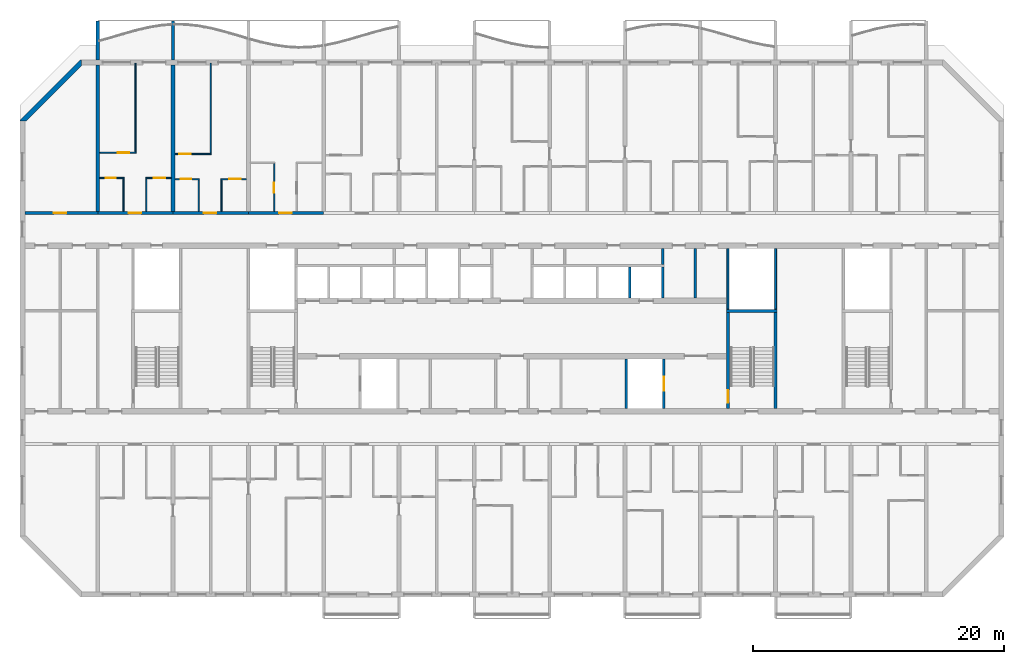
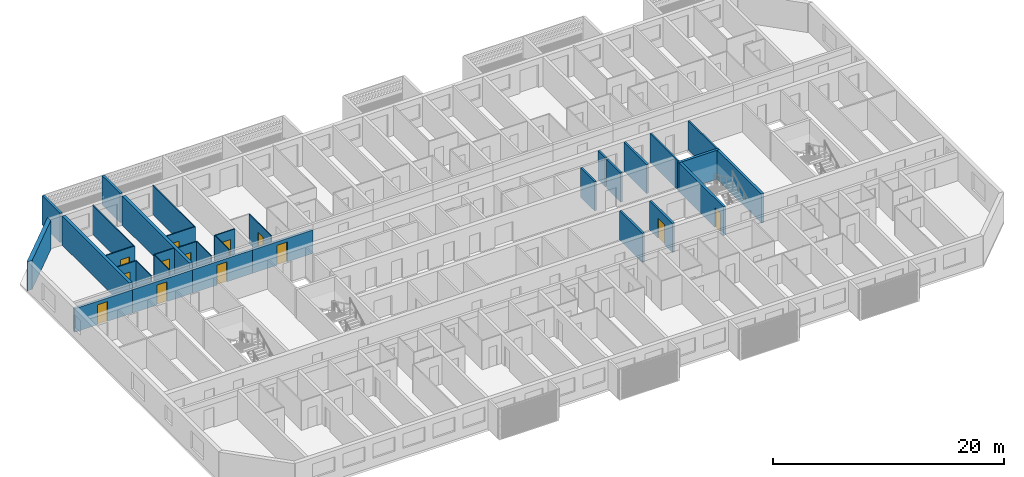
# One storey, part 8 of 32: 33 walls, 13 doors, 13 openings.
"""IFC4 building model written with IfcOpenShell, lengths in metres."""

from ifc_helpers import new_model, si_unit, direction, frame, frame_2d, origin, place, context, subcontext, project, spatial, polyline, rectangle, outline, extrude, source, transform, mapped, material, layer, layer_set, type_object, element, fill, save


model = new_model("IFC4")

# Units and contexts
model_context = context("Model", 3, precision=1e-05, world=origin(), true_north=direction((0.0, 1.0)))
body_context = subcontext(model_context, "Body", "Model", "MODEL_VIEW")
ifc_project = project(units=[si_unit("LENGTHUNIT", "METRE"), si_unit("AREAUNIT", "SQUARE_METRE"), si_unit("VOLUMEUNIT", "CUBIC_METRE"), si_unit("PLANEANGLEUNIT", "RADIAN"), si_unit("MASSUNIT", "GRAM", prefix="KILO")], contexts=[model_context])

# Site, building, storey
site_placement = place(None, origin())
site = spatial("IfcSite", under=ifc_project, at=site_placement, CompositionType="ELEMENT")
building_placement = place(site_placement, origin())
building = spatial("IfcBuilding", under=site, at=building_placement, Name="Poui Terraces", CompositionType="ELEMENT")
storey_placement = place(building_placement, frame((0.0, 0.0, 122.39990234375)))
storey = spatial("IfcBuildingStorey", under=building, at=storey_placement, Name="L33", CompositionType="ELEMENT", Elevation=122.39990234375)

# Wall, opening, door
ifc_material_1 = material(Name="Concrete 65 MPa", Category="concrete")
ifc_layer_1 = layer(ifc_material_1, 0.25)
ifc_layer_set_1 = layer_set([ifc_layer_1], Name="Concrete 65 MPa")
wall_type_1 = type_object("IfcWallType", Name="CORRIDOR WALL 250 65MPa", PredefinedType="SHEAR", material=ifc_layer_set_1)
wall_1_placement = place(storey_placement, frame((12.199951171875, 30.39990234375, 0.0), z_axis=(0.0, 0.0, 1.0), x_axis=(1.0, 0.0, 0.0)))
wall_1 = element("IfcWall", 1, at=wall_1_placement, inside=storey, type_object=wall_type_1, Name="CORRIDOR WALL LINE E BAY 1", PredefinedType="SHEAR", context=body_context, shape_type="SweptSolid", body=[
    extrude(rectangle(XDim=5.800048828125, YDim=0.25, at=frame_2d((2.89990234375, 0.0))), origin(), (0.0, 0.0, 1.0), 2.47021484375),
])
opening_1_placement = place(wall_1_placement, frame((2.300048828125, 0.0, 0.0)))
opening_1 = element("IfcOpeningElement", 2, at=opening_1_placement, cuts=wall_1, Name="Opening D100", PredefinedType="OPENING", context=body_context, shape_type="SweptSolid", body=[
    extrude(rectangle(XDim=1.0, YDim=2.10009765625, at=frame_2d((0.5, 1.050048828125))), frame((0.0, 0.135009765625, 0.0), z_axis=(0.0, -1.0, 0.0), x_axis=(1.0, 0.0, 0.0)), (0.0, 0.0, 1.0), 0.27001953125),
])
ifc_material_2 = material(Name="Solid core timber door", Category="wood")
door_type_1 = type_object("IfcDoorType", Name="ACCESSIBLE INTERNAL DOOR 1000 X 2100", OperationType="NOTDEFINED", PredefinedType="DOOR", material=ifc_material_2)
door_1_placement = place(opening_1_placement, origin())
door_1 = element("IfcDoor", 3, at=door_1_placement, inside=storey, type_object=door_type_1, Name="ACCESSIBLE INTERNAL DOOR 034", OperationType="SINGLE_SWING_LEFT", OverallHeight=2.10009765625, OverallWidth=1.0, PredefinedType="DOOR", context=body_context, shape_type="SweptSolid", body=[
    extrude(rectangle(XDim=1.0, YDim=2.10009765625, at=frame_2d((0.5, 1.050048828125))), frame((0.0, 0.02490234375, 0.0), z_axis=(0.0, -1.0, 0.0), x_axis=(1.0, 0.0, 0.0)), (0.0, 0.0, 1.0), 0.050048828125),
])
fill(opening_1, door_1)

wall_2_placement = place(storey_placement, frame((18.0, 30.39990234375, 0.0), z_axis=(0.0, 0.0, 1.0), x_axis=(1.0, 0.0, 0.0)))
wall_2 = element("IfcWall", 4, at=wall_2_placement, inside=storey, type_object=wall_type_1, Name="CORRIDOR WALL LINE E BAY 2", PredefinedType="SHEAR", context=body_context, shape_type="SweptSolid", body=[
    extrude(rectangle(XDim=6.0, YDim=0.25, at=frame_2d((3.0, 0.0))), origin(), (0.0, 0.0, 1.0), 2.47021484375),
])
opening_2_placement = place(wall_2_placement, frame((2.449951171875, 0.0, 0.0)))
opening_2 = element("IfcOpeningElement", 5, at=opening_2_placement, cuts=wall_2, Name="Opening FD30S", PredefinedType="OPENING", context=body_context, shape_type="SweptSolid", body=[
    extrude(rectangle(XDim=1.0, YDim=2.10009765625, at=frame_2d((0.5, 1.050048828125))), frame((0.0, 0.135009765625, 0.0), z_axis=(0.0, -1.0, 0.0), x_axis=(1.0, 0.0, 0.0)), (0.0, 0.0, 1.0), 0.27001953125),
])
ifc_material_3 = material(Name="Steel fire door", Category="steel")
door_type_2 = type_object("IfcDoorType", Name="FLAT ENTRANCE DOOR 1000 X 2100", OperationType="NOTDEFINED", PredefinedType="DOOR", material=ifc_material_3)
door_2_placement = place(opening_2_placement, origin())
door_2 = element("IfcDoor", 6, at=door_2_placement, inside=storey, type_object=door_type_2, Name="FLAT ENTRANCE DOOR 037", OperationType="SINGLE_SWING_LEFT", OverallHeight=2.10009765625, OverallWidth=1.0, PredefinedType="DOOR", context=body_context, shape_type="SweptSolid", body=[
    extrude(rectangle(XDim=1.0, YDim=2.10009765625, at=frame_2d((0.5, 1.050048828125))), frame((0.0, 0.02490234375, 0.0), z_axis=(0.0, -1.0, 0.0), x_axis=(1.0, 0.0, 0.0)), (0.0, 0.0, 1.0), 0.050048828125),
])
fill(opening_2, door_2)

wall_3_placement = place(storey_placement, frame((24.0, 30.39990234375, 0.0), z_axis=(0.0, 0.0, 1.0), x_axis=(1.0, 0.0, 0.0)))
wall_3 = element("IfcWall", 7, at=wall_3_placement, inside=storey, type_object=wall_type_1, Name="CORRIDOR WALL LINE E BAY 3", PredefinedType="SHEAR", context=body_context, shape_type="SweptSolid", body=[
    extrude(rectangle(XDim=6.0, YDim=0.25, at=frame_2d((3.0, 0.0))), origin(), (0.0, 0.0, 1.0), 2.47021484375),
])
opening_3_placement = place(wall_3_placement, frame((2.449951171875, 0.0, 0.0)))
opening_3 = element("IfcOpeningElement", 8, at=opening_3_placement, cuts=wall_3, Name="Opening FD30S", PredefinedType="OPENING", context=body_context, shape_type="SweptSolid", body=[
    extrude(rectangle(XDim=1.0, YDim=2.10009765625, at=frame_2d((0.5, 1.050048828125))), frame((0.0, 0.135009765625, 0.0), z_axis=(0.0, -1.0, 0.0), x_axis=(1.0, 0.0, 0.0)), (0.0, 0.0, 1.0), 0.27001953125),
])
door_3_placement = place(opening_3_placement, origin())
door_3 = element("IfcDoor", 9, at=door_3_placement, inside=storey, type_object=door_type_2, Name="FLAT ENTRANCE DOOR 041", OperationType="SINGLE_SWING_LEFT", OverallHeight=2.10009765625, OverallWidth=1.0, PredefinedType="DOOR", context=body_context, shape_type="SweptSolid", body=[
    extrude(rectangle(XDim=1.0, YDim=2.10009765625, at=frame_2d((0.5, 1.050048828125))), frame((0.0, 0.02490234375, 0.0), z_axis=(0.0, -1.0, 0.0), x_axis=(1.0, 0.0, 0.0)), (0.0, 0.0, 1.0), 0.050048828125),
])
fill(opening_3, door_3)

wall_4_placement = place(storey_placement, frame((30.0, 30.39990234375, 0.0), z_axis=(0.0, 0.0, 1.0), x_axis=(1.0, 0.0, 0.0)))
wall_4 = element("IfcWall", 10, at=wall_4_placement, inside=storey, type_object=wall_type_1, Name="CORRIDOR WALL LINE E BAY 4", PredefinedType="SHEAR", context=body_context, shape_type="SweptSolid", body=[
    extrude(rectangle(XDim=6.0, YDim=0.25, at=frame_2d((3.0, 0.0))), origin(), (0.0, 0.0, 1.0), 2.47021484375),
])
opening_4_placement = place(wall_4_placement, frame((2.449951171875, 0.0, 0.0)))
opening_4 = element("IfcOpeningElement", 11, at=opening_4_placement, cuts=wall_4, Name="Opening FD30S", PredefinedType="OPENING", context=body_context, shape_type="SweptSolid", body=[
    extrude(rectangle(XDim=1.0, YDim=2.10009765625, at=frame_2d((0.5, 1.050048828125))), frame((0.0, 0.135009765625, 0.0), z_axis=(0.0, -1.0, 0.0), x_axis=(1.0, 0.0, 0.0)), (0.0, 0.0, 1.0), 0.27001953125),
])
door_4_placement = place(opening_4_placement, origin())
door_4 = element("IfcDoor", 12, at=door_4_placement, inside=storey, type_object=door_type_2, Name="FLAT ENTRANCE DOOR 044", OperationType="SINGLE_SWING_LEFT", OverallHeight=2.10009765625, OverallWidth=1.0, PredefinedType="DOOR", context=body_context, shape_type="SweptSolid", body=[
    extrude(rectangle(XDim=1.0, YDim=2.10009765625, at=frame_2d((0.5, 1.050048828125))), frame((0.0, 0.02490234375, 0.0), z_axis=(0.0, -1.0, 0.0), x_axis=(1.0, 0.0, 0.0)), (0.0, 0.0, 1.0), 0.050048828125),
])
fill(opening_4, door_4)

# Walls
ifc_layer_2 = layer(ifc_material_1, 0.300048828125)
ifc_layer_set_2 = layer_set([ifc_layer_2], Name="Concrete 65 MPa")
wall_type_2 = type_object("IfcWallType", Name="CROSS WALL 300 65MPa", PredefinedType="SHEAR", material=ifc_layer_set_2)
for number, where, z_axis, x_axis, name in (
    (13, (18.0, 30.52490234375, 0.0), (0.0, 0.0, 1.0), (0.0, 1.0, 0.0), "CROSS WALL LINE 4 NORTH"),
    (14, (24.0, 30.52490234375, 0.0), (0.0, 0.0, 1.0), (0.0, 1.0, 0.0), "CROSS WALL LINE 5 NORTH"),
):
    element("IfcWall", number, at=place(storey_placement, frame(where, z_axis=z_axis, x_axis=x_axis)), inside=storey, type_object=wall_type_2, Name=name, PredefinedType="SHEAR", context=body_context, shape_type="SweptSolid", body=[
        extrude(rectangle(XDim=11.675048828125, YDim=0.300048828125, at=frame_2d((5.83740234375, 0.0))), origin(), (0.0, 0.0, 1.0), 3.070068359375),
    ])

# Wall, opening, door
ifc_material_4 = material(Name="Plasterboard partition")
ifc_layer_3 = layer(ifc_material_4, 0.10009765625)
ifc_layer_set_3 = layer_set([ifc_layer_3], Name="Plasterboard partition")
wall_type_3 = type_object("IfcWallType", Name="FLAT PARTITION 100", PredefinedType="PARTITIONING", material=ifc_layer_set_3)
wall_5_placement = place(storey_placement, frame((24.159912109375, 33.10009765625, 0.0), z_axis=(0.0, 0.0, 1.0), x_axis=(1.0, 0.0, 0.0)))
wall_5 = element("IfcWall", 15, at=wall_5_placement, inside=storey, type_object=wall_type_3, Name="FLAT PARTITION 100", PredefinedType="PARTITIONING", context=body_context, shape_type="SweptSolid", body=[
    extrude(rectangle(XDim=1.940185546875, YDim=0.10009765625, at=frame_2d((0.97021484375, 0.0))), origin(), (0.0, 0.0, 1.0), 3.070068359375),
])
opening_5_placement = place(wall_5_placement, frame((0.465087890625, 0.0, 0.0)))
opening_5 = element("IfcOpeningElement", 16, at=opening_5_placement, cuts=wall_5, Name="Opening D80", PredefinedType="OPENING", context=body_context, shape_type="SweptSolid", body=[
    extrude(rectangle(XDim=0.800048828125, YDim=2.10009765625, at=frame_2d((0.39990234375, 1.050048828125))), frame((0.0, 0.06005859375, 0.0), z_axis=(0.0, -1.0, 0.0), x_axis=(1.0, 0.0, 0.0)), (0.0, 0.0, 1.0), 0.1201171875),
])
door_type_3 = type_object("IfcDoorType", Name="BATHROOM, LAUNDRY AND STORE DOOR 800 X 2100", OperationType="NOTDEFINED", PredefinedType="DOOR", material=ifc_material_2)
door_5_placement = place(opening_5_placement, frame((0.800048828125, 0.0, 0.0), z_axis=(0.0, 0.0, 1.0), x_axis=(-1.0, 0.0, 0.0)))
door_5 = element("IfcDoor", 17, at=door_5_placement, inside=storey, type_object=door_type_3, Name="BATHROOM, LAUNDRY AND STORE DOOR 040", OperationType="SINGLE_SWING_RIGHT", OverallHeight=2.10009765625, OverallWidth=0.800048828125, PredefinedType="DOOR", context=body_context, shape_type="SweptSolid", body=[
    extrude(rectangle(XDim=0.800048828125, YDim=2.10009765625, at=frame_2d((0.39990234375, 1.050048828125))), frame((0.0, 0.02490234375, 0.0), z_axis=(0.0, -1.0, 0.0), x_axis=(1.0, 0.0, 0.0)), (0.0, 0.0, 1.0), 0.050048828125),
])
fill(opening_5, door_5)

wall_6_placement = place(storey_placement, frame((27.800048828125, 33.10009765625, 0.0), z_axis=(0.0, 0.0, 1.0), x_axis=(1.0, 0.0, 0.0)))
wall_6 = element("IfcWall", 18, at=wall_6_placement, inside=storey, type_object=wall_type_3, Name="FLAT PARTITION 100", PredefinedType="PARTITIONING", context=body_context, shape_type="SweptSolid", body=[
    extrude(rectangle(XDim=2.0400390625, YDim=0.10009765625, at=frame_2d((1.02001953125, 0.0))), origin(), (0.0, 0.0, 1.0), 3.070068359375),
])
opening_6_placement = place(wall_6_placement, frame((0.675048828125, 0.0, 0.0)))
opening_6 = element("IfcOpeningElement", 19, at=opening_6_placement, cuts=wall_6, Name="Opening D90", PredefinedType="OPENING", context=body_context, shape_type="SweptSolid", body=[
    extrude(rectangle(XDim=0.89990234375, YDim=2.10009765625, at=frame_2d((0.449951171875, 1.050048828125))), frame((0.0, 0.06005859375, 0.0), z_axis=(0.0, -1.0, 0.0), x_axis=(1.0, 0.0, 0.0)), (0.0, 0.0, 1.0), 0.1201171875),
])
door_type_4 = type_object("IfcDoorType", Name="INTERNAL DOOR 900 X 2100", OperationType="NOTDEFINED", PredefinedType="DOOR", material=ifc_material_2)
door_6_placement = place(opening_6_placement, frame((0.89990234375, 0.0, 0.0), z_axis=(0.0, 0.0, 1.0), x_axis=(-1.0, 0.0, 0.0)))
door_6 = element("IfcDoor", 20, at=door_6_placement, inside=storey, type_object=door_type_4, Name="INTERNAL DOOR 042", OperationType="SINGLE_SWING_LEFT", OverallHeight=2.10009765625, OverallWidth=0.89990234375, PredefinedType="DOOR", context=body_context, shape_type="SweptSolid", body=[
    extrude(rectangle(XDim=0.89990234375, YDim=2.10009765625, at=frame_2d((0.449951171875, 1.050048828125))), frame((0.0, 0.02490234375, 0.0), z_axis=(0.0, -1.0, 0.0), x_axis=(1.0, 0.0, 0.0)), (0.0, 0.0, 1.0), 0.050048828125),
])
fill(opening_6, door_6)

wall_7_placement = place(storey_placement, frame((18.159912109375, 33.199951171875, 0.0), z_axis=(0.0, 0.0, 1.0), x_axis=(1.0, 0.0, 0.0)))
wall_7 = element("IfcWall", 21, at=wall_7_placement, inside=storey, type_object=wall_type_3, Name="FLAT PARTITION 100", PredefinedType="PARTITIONING", context=body_context, shape_type="SweptSolid", body=[
    extrude(rectangle(XDim=1.940185546875, YDim=0.10009765625, at=frame_2d((0.97021484375, 0.0))), origin(), (0.0, 0.0, 1.0), 3.070068359375),
])
opening_7_placement = place(wall_7_placement, frame((0.465087890625, 0.0, 0.0)))
opening_7 = element("IfcOpeningElement", 22, at=opening_7_placement, cuts=wall_7, Name="Opening D80", PredefinedType="OPENING", context=body_context, shape_type="SweptSolid", body=[
    extrude(rectangle(XDim=0.800048828125, YDim=2.10009765625, at=frame_2d((0.39990234375, 1.050048828125))), frame((0.0, 0.06005859375, 0.0), z_axis=(0.0, -1.0, 0.0), x_axis=(1.0, 0.0, 0.0)), (0.0, 0.0, 1.0), 0.1201171875),
])
door_7_placement = place(opening_7_placement, frame((0.800048828125, 0.0, 0.0), z_axis=(0.0, 0.0, 1.0), x_axis=(-1.0, 0.0, 0.0)))
door_7 = element("IfcDoor", 23, at=door_7_placement, inside=storey, type_object=door_type_3, Name="BATHROOM, LAUNDRY AND STORE DOOR 035", OperationType="SINGLE_SWING_LEFT", OverallHeight=2.10009765625, OverallWidth=0.800048828125, PredefinedType="DOOR", context=body_context, shape_type="SweptSolid", body=[
    extrude(rectangle(XDim=0.800048828125, YDim=2.10009765625, at=frame_2d((0.39990234375, 1.050048828125))), frame((0.0, 0.02490234375, 0.0), z_axis=(0.0, -1.0, 0.0), x_axis=(1.0, 0.0, 0.0)), (0.0, 0.0, 1.0), 0.050048828125),
])
fill(opening_7, door_7)

wall_8_placement = place(storey_placement, frame((21.800048828125, 33.199951171875, 0.0), z_axis=(0.0, 0.0, 1.0), x_axis=(1.0, 0.0, 0.0)))
wall_8 = element("IfcWall", 24, at=wall_8_placement, inside=storey, type_object=wall_type_3, Name="FLAT PARTITION 100", PredefinedType="PARTITIONING", context=body_context, shape_type="SweptSolid", body=[
    extrude(rectangle(XDim=2.0400390625, YDim=0.10009765625, at=frame_2d((1.02001953125, 0.0))), origin(), (0.0, 0.0, 1.0), 3.070068359375),
])
opening_8_placement = place(wall_8_placement, frame((0.675048828125, 0.0, 0.0)))
opening_8 = element("IfcOpeningElement", 25, at=opening_8_placement, cuts=wall_8, Name="Opening D90", PredefinedType="OPENING", context=body_context, shape_type="SweptSolid", body=[
    extrude(rectangle(XDim=0.89990234375, YDim=2.10009765625, at=frame_2d((0.449951171875, 1.050048828125))), frame((0.0, 0.06005859375, 0.0), z_axis=(0.0, -1.0, 0.0), x_axis=(1.0, 0.0, 0.0)), (0.0, 0.0, 1.0), 0.1201171875),
])
door_8_placement = place(opening_8_placement, frame((0.89990234375, 0.0, 0.0), z_axis=(0.0, 0.0, 1.0), x_axis=(-1.0, 0.0, 0.0)))
door_8 = element("IfcDoor", 26, at=door_8_placement, inside=storey, type_object=door_type_4, Name="INTERNAL DOOR 038", OperationType="SINGLE_SWING_RIGHT", OverallHeight=2.10009765625, OverallWidth=0.89990234375, PredefinedType="DOOR", context=body_context, shape_type="SweptSolid", body=[
    extrude(rectangle(XDim=0.89990234375, YDim=2.10009765625, at=frame_2d((0.449951171875, 1.050048828125))), frame((0.0, 0.02490234375, 0.0), z_axis=(0.0, -1.0, 0.0), x_axis=(1.0, 0.0, 0.0)), (0.0, 0.0, 1.0), 0.050048828125),
])
fill(opening_8, door_8)

wall_9_placement = place(storey_placement, frame((24.159912109375, 35.10009765625, 0.0), z_axis=(0.0, 0.0, 1.0), x_axis=(1.0, 0.0, 0.0)))
wall_9 = element("IfcWall", 27, at=wall_9_placement, inside=storey, type_object=wall_type_3, Name="FLAT PARTITION 100", PredefinedType="PARTITIONING", context=body_context, shape_type="SweptSolid", body=[
    extrude(rectangle(XDim=2.89013671875, YDim=0.10009765625, at=frame_2d((1.445068359375, 0.0))), origin(), (0.0, 0.0, 1.0), 3.070068359375),
])
opening_9_placement = place(wall_9_placement, frame((0.340087890625, 0.0, 0.0)))
opening_9 = element("IfcOpeningElement", 28, at=opening_9_placement, cuts=wall_9, Name="Opening D90", PredefinedType="OPENING", context=body_context, shape_type="SweptSolid", body=[
    extrude(rectangle(XDim=0.89990234375, YDim=2.10009765625, at=frame_2d((0.449951171875, 1.050048828125))), frame((0.0, 0.06005859375, 0.0), z_axis=(0.0, -1.0, 0.0), x_axis=(1.0, 0.0, 0.0)), (0.0, 0.0, 1.0), 0.1201171875),
])
door_9_placement = place(opening_9_placement, frame((0.89990234375, 0.0, 0.0), z_axis=(0.0, 0.0, 1.0), x_axis=(-1.0, 0.0, 0.0)))
door_9 = element("IfcDoor", 29, at=door_9_placement, inside=storey, type_object=door_type_4, Name="INTERNAL DOOR 039", OperationType="SINGLE_SWING_LEFT", OverallHeight=2.10009765625, OverallWidth=0.89990234375, PredefinedType="DOOR", context=body_context, shape_type="SweptSolid", body=[
    extrude(rectangle(XDim=0.89990234375, YDim=2.10009765625, at=frame_2d((0.449951171875, 1.050048828125))), frame((0.0, 0.02490234375, 0.0), z_axis=(0.0, -1.0, 0.0), x_axis=(1.0, 0.0, 0.0)), (0.0, 0.0, 1.0), 0.050048828125),
])
fill(opening_9, door_9)

wall_10_placement = place(storey_placement, frame((18.159912109375, 35.199951171875, 0.0), z_axis=(0.0, 0.0, 1.0), x_axis=(1.0, 0.0, 0.0)))
wall_10 = element("IfcWall", 30, at=wall_10_placement, inside=storey, type_object=wall_type_3, Name="FLAT PARTITION 100", PredefinedType="PARTITIONING", context=body_context, shape_type="SweptSolid", body=[
    extrude(rectangle(XDim=2.89013671875, YDim=0.10009765625, at=frame_2d((1.445068359375, 0.0))), origin(), (0.0, 0.0, 1.0), 3.070068359375),
])
opening_10_placement = place(wall_10_placement, frame((1.43994140625, 0.0, 0.0)))
opening_10 = element("IfcOpeningElement", 31, at=opening_10_placement, cuts=wall_10, Name="Opening D90", PredefinedType="OPENING", context=body_context, shape_type="SweptSolid", body=[
    extrude(rectangle(XDim=0.89990234375, YDim=2.10009765625, at=frame_2d((0.449951171875, 1.050048828125))), frame((0.0, 0.06005859375, 0.0), z_axis=(0.0, -1.0, 0.0), x_axis=(1.0, 0.0, 0.0)), (0.0, 0.0, 1.0), 0.1201171875),
])
door_10_placement = place(opening_10_placement, frame((0.89990234375, 0.0, 0.0), z_axis=(0.0, 0.0, 1.0), x_axis=(-1.0, 0.0, 0.0)))
door_10 = element("IfcDoor", 32, at=door_10_placement, inside=storey, type_object=door_type_4, Name="INTERNAL DOOR 036", OperationType="SINGLE_SWING_RIGHT", OverallHeight=2.10009765625, OverallWidth=0.89990234375, PredefinedType="DOOR", context=body_context, shape_type="SweptSolid", body=[
    extrude(rectangle(XDim=0.89990234375, YDim=2.10009765625, at=frame_2d((0.449951171875, 1.050048828125))), frame((0.0, 0.02490234375, 0.0), z_axis=(0.0, -1.0, 0.0), x_axis=(1.0, 0.0, 0.0)), (0.0, 0.0, 1.0), 0.050048828125),
])
fill(opening_10, door_10)

# Walls
wall_11_placement = place(storey_placement, frame((20.050048828125, 30.534912109375, 0.0), z_axis=(0.0, 0.0, 1.0), x_axis=(0.0, 1.0, 0.0)))
element("IfcWall", 33, at=wall_11_placement, inside=storey, type_object=wall_type_3, Name="FLAT PARTITION 100", PredefinedType="PARTITIONING", context=body_context, shape_type="SweptSolid", body=[
    extrude(rectangle(XDim=2.614990234375, YDim=0.10009765625, at=frame_2d((1.3076171875, 0.0))), origin(), (0.0, 0.0, 1.0), 3.070068359375),
])
wall_12_placement = place(storey_placement, frame((21.0, 35.25, 0.0), z_axis=(0.0, 0.0, 1.0), x_axis=(0.0, 1.0, 0.0)))
element("IfcWall", 34, at=wall_12_placement, inside=storey, type_object=wall_type_3, Name="FLAT PARTITION 100", PredefinedType="PARTITIONING", context=body_context, shape_type="SweptSolid", body=[
    extrude(rectangle(XDim=7.090087890625, YDim=0.10009765625, at=frame_2d((3.544921875, 0.0))), origin(), (0.0, 0.0, 1.0), 3.070068359375),
])
wall_13_placement = place(storey_placement, frame((21.85009765625, 30.534912109375, 0.0), z_axis=(0.0, 0.0, 1.0), x_axis=(0.0, 1.0, 0.0)))
element("IfcWall", 35, at=wall_13_placement, inside=storey, type_object=wall_type_3, Name="FLAT PARTITION 100", PredefinedType="PARTITIONING", context=body_context, shape_type="SweptSolid", body=[
    extrude(rectangle(XDim=2.614990234375, YDim=0.10009765625, at=frame_2d((1.3076171875, 0.0))), origin(), (0.0, 0.0, 1.0), 3.070068359375),
])
wall_14_placement = place(storey_placement, frame((26.050048828125, 30.534912109375, 0.0), z_axis=(0.0, 0.0, 1.0), x_axis=(0.0, 1.0, 0.0)))
element("IfcWall", 36, at=wall_14_placement, inside=storey, type_object=wall_type_3, Name="FLAT PARTITION 100", PredefinedType="PARTITIONING", context=body_context, shape_type="SweptSolid", body=[
    extrude(rectangle(XDim=2.51513671875, YDim=0.10009765625, at=frame_2d((1.257568359375, 0.0))), origin(), (0.0, 0.0, 1.0), 3.070068359375),
])
wall_15_placement = place(storey_placement, frame((27.0, 35.14990234375, 0.0), z_axis=(0.0, 0.0, 1.0), x_axis=(0.0, 1.0, 0.0)))
element("IfcWall", 37, at=wall_15_placement, inside=storey, type_object=wall_type_3, Name="FLAT PARTITION 100", PredefinedType="PARTITIONING", context=body_context, shape_type="SweptSolid", body=[
    extrude(rectangle(XDim=7.190185546875, YDim=0.10009765625, at=frame_2d((3.59521484375, 0.0))), origin(), (0.0, 0.0, 1.0), 3.070068359375),
])
wall_16_placement = place(storey_placement, frame((27.85009765625, 30.534912109375, 0.0), z_axis=(0.0, 0.0, 1.0), x_axis=(0.0, 1.0, 0.0)))
element("IfcWall", 38, at=wall_16_placement, inside=storey, type_object=wall_type_3, Name="FLAT PARTITION 100", PredefinedType="PARTITIONING", context=body_context, shape_type="SweptSolid", body=[
    extrude(rectangle(XDim=2.51513671875, YDim=0.10009765625, at=frame_2d((1.257568359375, 0.0))), origin(), (0.0, 0.0, 1.0), 3.070068359375),
])

# Wall, opening, door
wall_17_placement = place(storey_placement, frame((32.050048828125, 30.534912109375, 0.0), z_axis=(0.0, 0.0, 1.0), x_axis=(0.0, 1.0, 0.0)))
wall_17 = element("IfcWall", 39, at=wall_17_placement, inside=storey, type_object=wall_type_3, Name="FLAT PARTITION 100", PredefinedType="PARTITIONING", context=body_context, shape_type="SweptSolid", body=[
    extrude(rectangle(XDim=3.815185546875, YDim=0.10009765625, at=frame_2d((1.90771484375, 0.0))), origin(), (0.0, 0.0, 1.0), 3.070068359375),
])
opening_11_placement = place(wall_17_placement, frame((1.465087890625, 0.0, 0.0)))
opening_11 = element("IfcOpeningElement", 40, at=opening_11_placement, cuts=wall_17, Name="Opening D80", PredefinedType="OPENING", context=body_context, shape_type="SweptSolid", body=[
    extrude(rectangle(XDim=0.800048828125, YDim=2.10009765625, at=frame_2d((0.39990234375, 1.050048828125))), frame((0.0, 0.06005859375, 0.0), z_axis=(0.0, -1.0, 0.0), x_axis=(1.0, 0.0, 0.0)), (0.0, 0.0, 1.0), 0.1201171875),
])
door_11_placement = place(opening_11_placement, origin())
door_11 = element("IfcDoor", 41, at=door_11_placement, inside=storey, type_object=door_type_3, Name="BATHROOM, LAUNDRY AND STORE DOOR 043", OperationType="SINGLE_SWING_LEFT", OverallHeight=2.10009765625, OverallWidth=0.800048828125, PredefinedType="DOOR", context=body_context, shape_type="SweptSolid", body=[
    extrude(rectangle(XDim=0.800048828125, YDim=2.10009765625, at=frame_2d((0.39990234375, 1.050048828125))), frame((0.0, 0.02490234375, 0.0), z_axis=(0.0, -1.0, 0.0), x_axis=(1.0, 0.0, 0.0)), (0.0, 0.0, 1.0), 0.050048828125),
])
fill(opening_11, door_11)

# Walls
ifc_material_5 = material(Name="Fire-rated masonry wall", Category="masonry")
ifc_layer_4 = layer(ifc_material_5, 0.199951171875)
ifc_layer_set_4 = layer_set([ifc_layer_4], Name="Fire-rated masonry wall")
wall_type_4 = type_object("IfcWallType", Name="PLANT ROOM WALL 200", PredefinedType="PARTITIONING", material=ifc_layer_set_4)
wall_18_placement = place(storey_placement, frame((63.0, 26.300048828125, 0.0), z_axis=(0.0, 0.0, 1.0), x_axis=(0.0, 1.0, 0.0)))
element("IfcWall", 42, at=wall_18_placement, inside=storey, type_object=wall_type_4, Name="PLANT ROOM WALL 200", PredefinedType="PARTITIONING", context=body_context, shape_type="SweptSolid", body=[
    extrude(rectangle(XDim=1.264892578125, YDim=0.199951171875, at=frame_2d((0.63232421875, 0.0))), origin(), (0.0, 0.0, 1.0), 3.070068359375),
])
wall_19_placement = place(storey_placement, frame((65.60009765625, 23.635009765625, 0.0), z_axis=(0.0, 0.0, 1.0), x_axis=(0.0, 1.0, 0.0)))
element("IfcWall", 43, at=wall_19_placement, inside=storey, type_object=wall_type_4, Name="PLANT ROOM WALL 200", PredefinedType="PARTITIONING", context=body_context, shape_type="SweptSolid", body=[
    extrude(rectangle(XDim=3.929931640625, YDim=0.199951171875, at=frame_2d((1.96484375, 0.0))), origin(), (0.0, 0.0, 1.0), 3.070068359375),
])
ifc_material_6 = material(Name="Fire-rated plasterboard riser wall")
ifc_layer_5 = layer(ifc_material_6, 0.14990234375)
ifc_layer_set_5 = layer_set([ifc_layer_5], Name="Fire-rated plasterboard riser wall")
wall_type_5 = type_object("IfcWallType", Name="RISER WALL 150", PredefinedType="PARTITIONING", material=ifc_layer_set_5)
for number, where, z_axis, x_axis, name in (
    (44, (68.199951171875, 22.735107421875, 0.0), (0.0, 0.0, 1.0), (0.0, 1.0, 0.0), "RISER WALL 150"),
    (45, (72.0, 22.735107421875, 0.0), (0.0, 0.0, 1.0), (0.0, 1.0, 0.0), "RISER WALL 150"),
):
    element("IfcWall", number, at=place(storey_placement, frame(where, z_axis=z_axis, x_axis=x_axis)), inside=storey, type_object=wall_type_5, Name=name, PredefinedType="PARTITIONING", context=body_context, shape_type="SweptSolid", body=[
        extrude(rectangle(XDim=4.829833984375, YDim=0.14990234375, at=frame_2d((2.4150390625, 0.0))), origin(), (0.0, 0.0, 1.0), 3.070068359375),
    ])
ifc_material_7 = material(Name="Fire-rated masonry shaft wall", Category="masonry")
ifc_layer_6 = layer(ifc_material_7, 0.199951171875)
ifc_layer_set_6 = layer_set([ifc_layer_6], Name="Fire-rated masonry shaft wall")
wall_type_6 = type_object("IfcWallType", Name="SHAFT WALL 200", PredefinedType="PARTITIONING", material=ifc_layer_set_6)
wall_20_placement = place(storey_placement, frame((60.10009765625, 14.8349609375, 0.0), z_axis=(0.0, 0.0, 1.0), x_axis=(0.0, 1.0, 0.0)))
element("IfcWall", 46, at=wall_20_placement, inside=storey, type_object=wall_type_6, Name="SHAFT WALL 200", PredefinedType="PARTITIONING", context=body_context, shape_type="SweptSolid", body=[
    extrude(rectangle(XDim=3.929931640625, YDim=0.199951171875, at=frame_2d((1.96484375, 0.0))), origin(), (0.0, 0.0, 1.0), 3.070068359375),
])
for number, where, z_axis, x_axis, name in (
    (47, (60.39990234375, 23.635009765625, 0.0), (0.0, 0.0, 1.0), (0.0, 1.0, 0.0), "SHAFT WALL 200"),
    (48, (63.0, 23.635009765625, 0.0), (0.0, 0.0, 1.0), (0.0, 1.0, 0.0), "SHAFT WALL 200"),
):
    element("IfcWall", number, at=place(storey_placement, frame(where, z_axis=z_axis, x_axis=x_axis)), inside=storey, type_object=wall_type_6, Name=name, PredefinedType="PARTITIONING", context=body_context, shape_type="SweptSolid", body=[
        extrude(rectangle(XDim=2.465087890625, YDim=0.199951171875, at=frame_2d((1.232421875, 0.0))), origin(), (0.0, 0.0, 1.0), 3.070068359375),
    ])

# Wall, opening, door
wall_21_placement = place(storey_placement, frame((63.10009765625, 14.8349609375, 0.0), z_axis=(0.0, 0.0, 1.0), x_axis=(0.0, 1.0, 0.0)))
wall_21 = element("IfcWall", 49, at=wall_21_placement, inside=storey, type_object=wall_type_6, Name="SHAFT WALL 200", PredefinedType="PARTITIONING", context=body_context, shape_type="SweptSolid", body=[
    extrude(rectangle(XDim=3.929931640625, YDim=0.199951171875, at=frame_2d((1.96484375, 0.0))), origin(), (0.0, 0.0, 1.0), 3.070068359375),
])
opening_12_placement = place(wall_21_placement, frame((1.4150390625, 0.0, 0.0)))
opening_12 = element("IfcOpeningElement", 50, at=opening_12_placement, cuts=wall_21, Name="Opening LD", PredefinedType="OPENING", context=body_context, shape_type="SweptSolid", body=[
    extrude(rectangle(XDim=1.10009765625, YDim=2.10009765625, at=frame_2d((0.550048828125, 1.050048828125))), frame((0.0, 0.10986328125, 0.0), z_axis=(0.0, -1.0, 0.0), x_axis=(1.0, 0.0, 0.0)), (0.0, 0.0, 1.0), 0.219970703125),
])
ifc_material_8 = material(Name="Stainless steel sliding door", Category="steel")
door_type_5 = type_object("IfcDoorType", Name="LIFT LANDING DOOR 1100 X 2100", OperationType="DOUBLE_DOOR_SLIDING", PredefinedType="DOOR", material=ifc_material_8)
door_12_placement = place(opening_12_placement, origin())
door_12 = element("IfcDoor", 51, at=door_12_placement, inside=storey, type_object=door_type_5, Name="LANDING DOOR", OperationType="DOUBLE_DOOR_SLIDING", OverallHeight=2.10009765625, OverallWidth=1.10009765625, PredefinedType="DOOR", context=body_context, shape_type="SweptSolid", body=[
    extrude(rectangle(XDim=1.10009765625, YDim=2.10009765625, at=frame_2d((0.550048828125, 1.050048828125))), frame((0.0, 0.02490234375, 0.0), z_axis=(0.0, -1.0, 0.0), x_axis=(1.0, 0.0, 0.0)), (0.0, 0.0, 1.0), 0.050048828125),
])
fill(opening_12, door_12)

ifc_layer_7 = layer(ifc_material_1, 0.25)
ifc_layer_set_7 = layer_set([ifc_layer_7], Name="Concrete 65 MPa")
wall_type_7 = type_object("IfcWallType", Name="STAIR CORE WALL 250 65 MPA", PredefinedType="SOLIDWALL", material=ifc_layer_set_7)
wall_22_placement = place(storey_placement, frame((68.199951171875, 14.824951171875, 0.0), z_axis=(0.0, 0.0, 1.0), x_axis=(0.0, 1.0, 0.0)))
wall_22 = element("IfcWall", 52, at=wall_22_placement, inside=storey, type_object=wall_type_7, Name="STAIR CORE WALL", PredefinedType="SOLIDWALL", context=body_context, shape_type="SweptSolid", body=[
    extrude(rectangle(XDim=7.650146484375, YDim=0.25, at=frame_2d((3.8251953125, 0.0))), origin(), (0.0, 0.0, 1.0), 3.070068359375),
])
opening_13_placement = place(wall_22_placement, frame((0.47509765625, 0.0, 0.0)))
opening_13 = element("IfcOpeningElement", 53, at=opening_13_placement, cuts=wall_22, Name="Opening FD60S", PredefinedType="OPENING", context=body_context, shape_type="SweptSolid", body=[
    extrude(rectangle(XDim=1.0, YDim=2.10009765625, at=frame_2d((0.5, 1.050048828125))), frame((0.0, 0.135009765625, 0.0), z_axis=(0.0, -1.0, 0.0), x_axis=(1.0, 0.0, 0.0)), (0.0, 0.0, 1.0), 0.27001953125),
])
door_type_6 = type_object("IfcDoorType", Name="STAIR DOOR 1000 X 2100", OperationType="NOTDEFINED", PredefinedType="DOOR", material=ifc_material_3)
door_13_placement = place(opening_13_placement, frame((1.0, 0.0, 0.0), z_axis=(0.0, 0.0, 1.0), x_axis=(-1.0, 0.0, 0.0)))
door_13 = element("IfcDoor", 54, at=door_13_placement, inside=storey, type_object=door_type_6, Name="STAIR DOOR 122", OperationType="SINGLE_SWING_LEFT", OverallHeight=2.10009765625, OverallWidth=1.0, PredefinedType="DOOR", context=body_context, shape_type="SweptSolid", body=[
    extrude(rectangle(XDim=1.0, YDim=2.10009765625, at=frame_2d((0.5, 1.050048828125))), frame((0.0, 0.02490234375, 0.0), z_axis=(0.0, -1.0, 0.0), x_axis=(1.0, 0.0, 0.0)), (0.0, 0.0, 1.0), 0.050048828125),
])
fill(opening_13, door_13)

# Walls
wall_23_placement = place(storey_placement, frame((72.0, 14.824951171875, 0.0), z_axis=(0.0, 0.0, 1.0), x_axis=(0.0, 1.0, 0.0)))
element("IfcWall", 55, at=wall_23_placement, inside=storey, type_object=wall_type_7, Name="STAIR CORE WALL", PredefinedType="SOLIDWALL", context=body_context, shape_type="SweptSolid", body=[
    extrude(rectangle(XDim=7.650146484375, YDim=0.25, at=frame_2d((3.8251953125, 0.0))), origin(), (0.0, 0.0, 1.0), 3.070068359375),
])
wall_24_placement = place(storey_placement, frame((68.074951171875, 22.60009765625, 0.0), z_axis=(0.0, 0.0, 1.0), x_axis=(1.0, 0.0, 0.0)))
element("IfcWall", 56, at=wall_24_placement, inside=storey, type_object=wall_type_7, Name="STAIR CORE WALL", PredefinedType="SOLIDWALL", context=body_context, shape_type="SweptSolid", body=[
    extrude(rectangle(XDim=4.050048828125, YDim=0.25, at=frame_2d((2.02490234375, 0.0))), origin(), (0.0, 0.0, 1.0), 3.070068359375),
])
ifc_material_9 = material(Name="Precast concrete 40 MPa", Category="concrete")
ifc_layer_8 = layer(ifc_material_9, 0.39990234375)
ifc_layer_set_8 = layer_set([ifc_layer_8], Name="Precast concrete 40 MPa")
wall_type_8 = type_object("IfcWallType", Name="TERRACOTTA CLAD CHAMFER WALL 400", PredefinedType="STANDARD", material=ifc_layer_set_8)
wall_25_placement = place(storey_placement, origin())
element("IfcWall", 57, at=wall_25_placement, inside=storey, type_object=wall_type_8, Name="CHAMFER WALL CH05", PredefinedType="STANDARD", context=body_context, shape_type="SweptSolid", body=[
    extrude(outline(polyline([(16.682861328125, 42.60009765625), (16.60009765625, 42.60009765625), (11.800048828125, 37.800048828125), (11.800048828125, 37.71728515625), (12.28271484375, 37.71728515625), (16.682861328125, 42.1171875), (16.682861328125, 42.60009765625)])), origin(), (0.0, 0.0, 1.0), 3.070068359375),
])
ifc_layer_9 = layer(ifc_material_9, 0.25)
ifc_layer_set_9 = layer_set([ifc_layer_9], Name="Precast concrete 40 MPa")
wall_type_9 = type_object("IfcWallType", Name="BALCONY FIN 250", PredefinedType="STANDARD", material=ifc_layer_set_9)
shared_shape = source(origin(), body_context, "Body", "SweptSolid", [
    extrude(outline(polyline([(0.0, 0.0), (0.25, 0.0), (0.25, 3.099853515625), (0.0, 3.099853515625), (0.0, 0.0)])), origin(), (0.0, 0.0, 1.0), 3.10009765625),
])
for number, where, name in (
    (58, (17.875, 42.60009765625, 0.0), "BALCONY FIN"),
    (59, (23.875, 42.60009765625, 0.0), "BALCONY FIN"),
):
    element("IfcWall", number, at=place(storey_placement, frame(where)), inside=storey, type_object=wall_type_9, Name=name, PredefinedType="STANDARD", context=body_context, shape_type="MappedRepresentation", body=[
        mapped(shared_shape, transform((0.0, 0.0, 0.0))),
    ])

save(model, "model.ifc")
